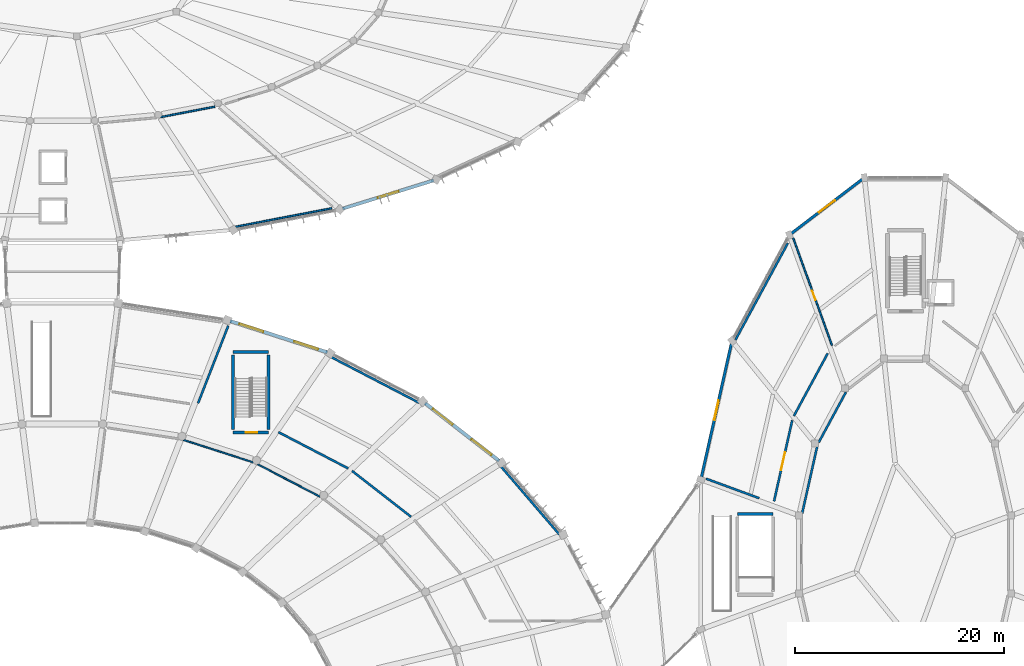
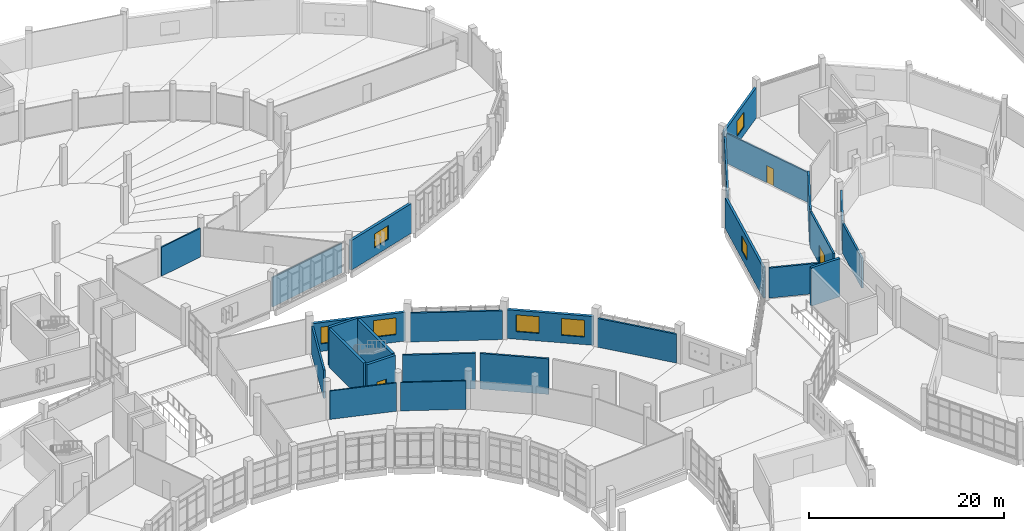
# One storey, part 126 of 179: 26 walls, 7 windows, 3 doors, 10 openings.
"""IFC4 building model written with IfcOpenShell, lengths in metres."""

from ifc_helpers import new_model, si_unit, direction, frame, frame_2d, origin, place, context, subcontext, project, spatial, rectangle, extrude, material, layer, layer_set, type_object, element, fill, save


model = new_model("IFC4")

# Units and contexts
model_context = context("Model", 3, precision=1e-05, world=origin(), true_north=direction((0.0, 1.0)))
body_context = subcontext(model_context, "Body", "Model", "MODEL_VIEW")
ifc_project = project(units=[si_unit("LENGTHUNIT", "METRE"), si_unit("AREAUNIT", "SQUARE_METRE"), si_unit("VOLUMEUNIT", "CUBIC_METRE"), si_unit("PLANEANGLEUNIT", "RADIAN"), si_unit("MASSUNIT", "GRAM", prefix="KILO")], contexts=[model_context])

# Site, building, storey
site_placement = place(None, origin())
site = spatial("IfcSite", under=ifc_project, at=site_placement, CompositionType="ELEMENT")
building_placement = place(site_placement, origin())
building = spatial("IfcBuilding", under=site, at=building_placement, Name="Corvandel Quay Wholesale Market", CompositionType="ELEMENT")
storey_placement = place(building_placement, frame((0.0, 0.0, 6.0)))
storey = spatial("IfcBuildingStorey", under=building, at=storey_placement, Name="L01", CompositionType="ELEMENT", Elevation=6.0)

# Walls
ifc_material_1 = material(Name="Gypsum-clad steel stud framing", Category="steel")
ifc_layer_1 = layer(ifc_material_1, 0.2099609375)
ifc_layer_set_1 = layer_set([ifc_layer_1], Name="Gypsum-clad steel stud framing")
wall_type_1 = type_object("IfcWallType", Name="Corridor Rated Partition PT02 210", PredefinedType="PARTITIONING", material=ifc_layer_set_1)
wall_1_placement = place(storey_placement, frame((147.311279296875, 63.591064453125, 0.0), z_axis=(0.0, 0.0, 1.0), x_axis=(-0.789269462689, 0.614046997604, 0.0)))
element("IfcWall", 1, at=wall_1_placement, inside=storey, type_object=wall_type_1, Name="Interior Wall IW-0443", PredefinedType="PARTITIONING", context=body_context, shape_type="SweptSolid", body=[
    extrude(rectangle(XDim=7.149169921875, YDim=0.2099609375, at=frame_2d((3.57470703125, 0.0))), origin(), (0.0, 0.0, 1.0), 4.4599609375),
])
wall_2_placement = place(storey_placement, frame((141.2998046875, 68.217529296875, 0.0), z_axis=(0.0, 0.0, 1.0), x_axis=(-0.8870987966, 0.461579597763, 0.0)))
element("IfcWall", 2, at=wall_2_placement, inside=storey, type_object=wall_type_1, Name="Interior Wall IW-0444", PredefinedType="PARTITIONING", context=body_context, shape_type="SweptSolid", body=[
    extrude(rectangle(XDim=7.521728515625, YDim=0.2099609375, at=frame_2d((3.7607421875, 0.0))), origin(), (0.0, 0.0, 1.0), 4.4599609375),
])
wall_3_placement = place(storey_placement, frame((126.951904296875, 74.43701171875, 0.0), z_axis=(0.0, 0.0, 1.0), x_axis=(0.363286022187, 0.931677662115, 0.0)))
element("IfcWall", 3, at=wall_3_placement, inside=storey, type_object=wall_type_1, Name="Interior Wall IW-0445", PredefinedType="PARTITIONING", context=body_context, shape_type="SweptSolid", body=[
    extrude(rectangle(XDim=7.939453125, YDim=0.2099609375, at=frame_2d((3.9697265625, 0.0))), origin(), (0.0, 0.0, 1.0), 3.56005859375),
])
wall_4_placement = place(storey_placement, frame((139.666259765625, 78.859619140625, 0.0), z_axis=(0.0, 0.0, 1.0), x_axis=(0.887294814005, -0.461202681084, 0.0)))
element("IfcWall", 4, at=wall_4_placement, inside=storey, type_object=wall_type_1, Name="Interior Wall IW-0446", PredefinedType="PARTITIONING", context=body_context, shape_type="SweptSolid", body=[
    extrude(rectangle(XDim=9.4775390625, YDim=0.2099609375, at=frame_2d((4.73876953125, 0.0))), origin(), (0.0, 0.0, 1.0), 3.610107421875),
])
wall_5_placement = place(storey_placement, frame((155.894287109375, 68.402099609375, 0.0), z_axis=(0.0, 0.0, 1.0), x_axis=(0.651588761732, -0.758572399699, 0.0)))
element("IfcWall", 5, at=wall_5_placement, inside=storey, type_object=wall_type_1, Name="Interior Wall IW-0447", PredefinedType="PARTITIONING", context=body_context, shape_type="SweptSolid", body=[
    extrude(rectangle(XDim=8.569091796875, YDim=0.2099609375, at=frame_2d((4.28466796875, 0.0))), origin(), (0.0, 0.0, 1.0), 3.610107421875),
])
wall_6_placement = place(storey_placement, frame((184.668212890625, 63.90966796875, 0.0), z_axis=(0.0, 0.0, 1.0), x_axis=(0.218983275202, 0.975728612464, 0.0)))
element("IfcWall", 6, at=wall_6_placement, inside=storey, type_object=wall_type_1, Name="Interior Wall IW-0719", PredefinedType="PARTITIONING", context=body_context, shape_type="SweptSolid", body=[
    extrude(rectangle(XDim=6.546630859375, YDim=0.2099609375, at=frame_2d((3.2734375, 0.0))), origin(), (0.0, 0.0, 1.0), 3.760009765625),
])
wall_7_placement = place(storey_placement, frame((186.2548828125, 70.70556640625, 0.0), z_axis=(0.0, 0.0, 1.0), x_axis=(0.476219723691, 0.879326318705, 0.0)))
element("IfcWall", 7, at=wall_7_placement, inside=storey, type_object=wall_type_1, Name="Interior Wall IW-0720", PredefinedType="PARTITIONING", context=body_context, shape_type="SweptSolid", body=[
    extrude(rectangle(XDim=5.456298828125, YDim=0.2099609375, at=frame_2d((2.72802734375, 0.0))), origin(), (0.0, 0.0, 1.0), 3.760009765625),
])
wall_8_placement = place(storey_placement, frame((178.30078125, 80.50048828125, 0.0), z_axis=(0.0, 0.0, 1.0), x_axis=(0.476238988817, 0.879315884953, 0.0)))
element("IfcWall", 8, at=wall_8_placement, inside=storey, type_object=wall_type_1, Name="Interior Wall IW-0735", PredefinedType="PARTITIONING", context=body_context, shape_type="SweptSolid", body=[
    extrude(rectangle(XDim=10.508056640625, YDim=0.2099609375, at=frame_2d((5.25390625, 0.0))), origin(), (0.0, 0.0, 1.0), 3.81005859375),
])
wall_9_placement = place(storey_placement, frame((187.1162109375, 79.21142578125, 0.0), z_axis=(0.0, 0.0, 1.0), x_axis=(-0.475826771509, -0.87953901762, 0.0)))
element("IfcWall", 9, at=wall_9_placement, inside=storey, type_object=wall_type_1, Name="Interior Wall IW-0736", PredefinedType="PARTITIONING", context=body_context, shape_type="SweptSolid", body=[
    extrude(rectangle(XDim=6.80810546875, YDim=0.2099609375, at=frame_2d((3.404052734375, 0.0))), origin(), (0.0, 0.0, 1.0), 4.5400390625),
])

# Wall, opening, door
wall_10_placement = place(storey_placement, frame((183.723876953125, 72.815185546875, 0.0), z_axis=(0.0, 0.0, 1.0), x_axis=(-0.219151477766, -0.975690847448, 0.0)))
wall_10 = element("IfcWall", 10, at=wall_10_placement, inside=storey, type_object=wall_type_1, Name="Interior Wall IW-0737", PredefinedType="PARTITIONING", context=body_context, shape_type="SweptSolid", body=[
    extrude(rectangle(XDim=7.924072265625, YDim=0.2099609375, at=frame_2d((3.9619140625, 0.0))), origin(), (0.0, 0.0, 1.0), 4.5400390625),
])
opening_1_placement = place(wall_10_placement, frame((3.112060546875, 0.0, 0.0)))
opening_1 = element("IfcOpeningElement", 11, at=opening_1_placement, cuts=wall_10, Name="Opening L01-D049", PredefinedType="OPENING", context=body_context, shape_type="SweptSolid", body=[
    extrude(rectangle(XDim=1.75, YDim=2.35009765625, at=frame_2d((0.875, 1.175048828125))), frame((0.0, 0.114990234375, 0.0), z_axis=(0.0, -1.0, 0.0), x_axis=(1.0, 0.0, 0.0)), (0.0, 0.0, 1.0), 0.22998046875),
])
ifc_material_2 = material(Name="Acoustic timber double leaf", Category="wood")
door_type_1 = type_object("IfcDoorType", Name="Auction Hall Acoustic Door ID18 1750x2350", OperationType="DOUBLE_DOOR_SINGLE_SWING", PredefinedType="DOOR", material=ifc_material_2)
door_1_placement = place(opening_1_placement, origin())
door_1 = element("IfcDoor", 12, at=door_1_placement, inside=storey, type_object=door_type_1, Name="Auction Buyers Bidding Gallery West Door", OperationType="DOUBLE_DOOR_SINGLE_SWING", OverallHeight=2.35009765625, OverallWidth=1.75, PredefinedType="DOOR", context=body_context, shape_type="SweptSolid", body=[
    extrude(rectangle(XDim=1.75, YDim=2.35009765625, at=frame_2d((0.875, 1.175048828125))), frame((0.0, 0.02490234375, 0.0), z_axis=(0.0, -1.0, 0.0), x_axis=(1.0, 0.0, 0.0)), (0.0, 0.0, 1.0), 0.050048828125),
])
fill(opening_1, door_1)

# Wall
wall_11_placement = place(storey_placement, frame((180.55859375, 65.375732421875, 0.0), z_axis=(0.0, 0.0, 1.0), x_axis=(-0.938708255845, 0.344712649042, 0.0)))
element("IfcWall", 13, at=wall_11_placement, inside=storey, type_object=wall_type_1, Name="Interior Wall IW-0738", PredefinedType="PARTITIONING", context=body_context, shape_type="SweptSolid", body=[
    extrude(rectangle(XDim=5.403076171875, YDim=0.2099609375, at=frame_2d((2.70166015625, 0.0))), origin(), (0.0, 0.0, 1.0), 3.760009765625),
])

# Wall, opening, window
ifc_material_3 = material(Name="Marine precast concrete C45/55", Category="concrete")
ifc_layer_2 = layer(ifc_material_3, 0.31005859375)
ifc_layer_set_2 = layer_set([ifc_layer_2], Name="Marine precast concrete C45/55")
wall_type_2 = type_object("IfcWallType", Name="Fish Hall Marine Precast Wall EW06 310", PredefinedType="SOLIDWALL", material=ifc_layer_set_2)
wall_12_placement = place(storey_placement, frame((140.755126953125, 93.030029296875, 0.0), z_axis=(0.0, 0.0, 1.0), x_axis=(0.955105922322, 0.296264539128, 0.0)))
wall_12 = element("IfcWall", 14, at=wall_12_placement, inside=storey, type_object=wall_type_2, Name="Exterior Wall EW-0144", PredefinedType="SOLIDWALL", context=body_context, shape_type="SweptSolid", body=[
    extrude(rectangle(XDim=9.123291015625, YDim=0.31005859375, at=frame_2d((4.5615234375, 0.0))), origin(), (0.0, 0.0, 1.0), 3.7099609375),
])
opening_2_placement = place(wall_12_placement, frame((3.511962890625, 0.0, 1.0)))
opening_2 = element("IfcOpeningElement", 15, at=opening_2_placement, cuts=wall_12, Name="Opening L01-W042", PredefinedType="OPENING", context=body_context, shape_type="SweptSolid", body=[
    extrude(rectangle(XDim=2.10009765625, YDim=1.75, at=frame_2d((1.050048828125, 0.875))), frame((0.0, 0.1650390625, 0.0), z_axis=(0.0, -1.0, 0.0), x_axis=(1.0, 0.0, 0.0)), (0.0, 0.0, 1.0), 0.330078125),
])
ifc_material_4 = material(Name="Thermally broken bronze anodised aluminium and solar-control low-E double glazing", Category="aluminium")
window_type_1 = type_object("IfcWindowType", Name="Seafood Traders Window WN09 2100x1750", PartitioningType="SINGLE_PANEL", PredefinedType="WINDOW", material=ifc_material_4)
window_1_placement = place(opening_2_placement, origin())
window_1 = element("IfcWindow", 16, at=window_1_placement, inside=storey, type_object=window_type_1, Name="Window L01-W042", OverallHeight=1.75, OverallWidth=2.10009765625, PartitioningType="SINGLE_PANEL", PredefinedType="WINDOW", context=body_context, shape_type="SweptSolid", body=[
    extrude(rectangle(XDim=2.10009765625, YDim=1.75, at=frame_2d((1.050048828125, 0.875))), frame((0.0, 0.030029296875, 0.0), z_axis=(0.0, -1.0, 0.0), x_axis=(1.0, 0.0, 0.0)), (0.0, 0.0, 1.0), 0.06005859375),
])
fill(opening_2, window_1)

# Walls
ifc_material_5 = material(Name="Double-layer acoustic gypsum stud partition")
ifc_layer_3 = layer(ifc_material_5, 0.139892578125)
ifc_layer_set_3 = layer_set([ifc_layer_3], Name="Double-layer acoustic gypsum stud partition")
wall_type_3 = type_object("IfcWallType", Name="Office Acoustic Partition PT07 140", PredefinedType="PARTITIONING", material=ifc_layer_set_3)
wall_13_placement = place(storey_placement, frame((125.564453125, 70.939453125, 0.0), z_axis=(0.0, 0.0, 1.0), x_axis=(0.951796024848, -0.306731685815, 0.0)))
element("IfcWall", 17, at=wall_13_placement, inside=storey, type_object=wall_type_3, Name="Interior Wall IW-0498", PredefinedType="PARTITIONING", context=body_context, shape_type="SweptSolid", body=[
    extrude(rectangle(XDim=6.99951171875, YDim=0.139892578125, at=frame_2d((3.499755859375, 0.0))), origin(), (0.0, 0.0, 1.0), 3.56005859375),
])
wall_14_placement = place(storey_placement, frame((132.631103515625, 68.62353515625, 0.0), z_axis=(0.0, 0.0, 1.0), x_axis=(0.887339573657, -0.461116559041, 0.0)))
element("IfcWall", 18, at=wall_14_placement, inside=storey, type_object=wall_type_3, Name="Interior Wall IW-0499", PredefinedType="PARTITIONING", context=body_context, shape_type="SweptSolid", body=[
    extrude(rectangle(XDim=6.73779296875, YDim=0.139892578125, at=frame_2d((3.368896484375, 0.0))), origin(), (0.0, 0.0, 1.0), 3.56005859375),
])

# Wall, opening, window
ifc_material_6 = material(Name="Terracotta precast concrete C45/55", Category="masonry")
ifc_layer_4 = layer(ifc_material_6, 0.260009765625)
ifc_layer_set_4 = layer_set([ifc_layer_4], Name="Terracotta precast concrete C45/55")
wall_type_4 = type_object("IfcWallType", Name="Pavilion Pilaster Infill Wall EW08 260", PredefinedType="SOLIDWALL", material=ifc_layer_set_4)
wall_15_placement = place(storey_placement, frame((190.4462890625, 95.866455078125, 0.0), z_axis=(0.0, 0.0, 1.0), x_axis=(-0.794325535109, -0.607492340918, 0.0)))
wall_15 = element("IfcWall", 19, at=wall_15_placement, inside=storey, type_object=wall_type_4, Name="Exterior Wall EW-0169", PredefinedType="SOLIDWALL", context=body_context, shape_type="SweptSolid", body=[
    extrude(rectangle(XDim=8.58251953125, YDim=0.260009765625, at=frame_2d((4.291259765625, 0.0))), origin(), (0.0, 0.0, 1.0), 3.81005859375),
])
opening_3_placement = place(wall_15_placement, frame((3.341064453125, 0.0, 1.0)))
opening_3 = element("IfcOpeningElement", 20, at=opening_3_placement, cuts=wall_15, Name="Opening L01-W047", PredefinedType="OPENING", context=body_context, shape_type="SweptSolid", body=[
    extrude(rectangle(XDim=1.89990234375, YDim=1.89990234375, at=frame_2d((0.949951171875, 0.949951171875))), frame((0.0, 0.139892578125, 0.0), z_axis=(0.0, -1.0, 0.0), x_axis=(1.0, 0.0, 0.0)), (0.0, 0.0, 1.0), 0.280029296875),
])
window_type_2 = type_object("IfcWindowType", Name="Auction Gallery Window WN12 1900x1900", PartitioningType="SINGLE_PANEL", PredefinedType="WINDOW", material=ifc_material_4)
window_2_placement = place(opening_3_placement, origin())
window_2 = element("IfcWindow", 21, at=window_2_placement, inside=storey, type_object=window_type_2, Name="Window L01-W047", OverallHeight=1.89990234375, OverallWidth=1.89990234375, PartitioningType="SINGLE_PANEL", PredefinedType="WINDOW", context=body_context, shape_type="SweptSolid", body=[
    extrude(rectangle(XDim=1.89990234375, YDim=1.89990234375, at=frame_2d((0.949951171875, 0.949951171875))), frame((0.0, 0.030029296875, 0.0), z_axis=(0.0, -1.0, 0.0), x_axis=(1.0, 0.0, 0.0)), (0.0, 0.0, 1.0), 0.06005859375),
])
fill(opening_3, window_2)

wall_16_placement = place(storey_placement, frame((177.9208984375, 80.17724609375, 0.0), z_axis=(0.0, 0.0, 1.0), x_axis=(-0.218965309906, -0.975732644251, 0.0)))
wall_16 = element("IfcWall", 22, at=wall_16_placement, inside=storey, type_object=wall_type_4, Name="Exterior Wall EW-0174", PredefinedType="SOLIDWALL", context=body_context, shape_type="SweptSolid", body=[
    extrude(rectangle(XDim=13.119873046875, YDim=0.260009765625, at=frame_2d((6.56005859375, 0.0))), origin(), (0.0, 0.0, 1.0), 3.81005859375),
])
opening_4_placement = place(wall_16_placement, frame((5.610107421875, 0.0, 1.0)))
opening_4 = element("IfcOpeningElement", 23, at=opening_4_placement, cuts=wall_16, Name="Opening L01-W048", PredefinedType="OPENING", context=body_context, shape_type="SweptSolid", body=[
    extrude(rectangle(XDim=1.89990234375, YDim=1.89990234375, at=frame_2d((0.949951171875, 0.949951171875))), frame((0.0, 0.139892578125, 0.0), z_axis=(0.0, -1.0, 0.0), x_axis=(1.0, 0.0, 0.0)), (0.0, 0.0, 1.0), 0.280029296875),
])
window_3_placement = place(opening_4_placement, origin())
window_3 = element("IfcWindow", 24, at=window_3_placement, inside=storey, type_object=window_type_2, Name="Window L01-W048", OverallHeight=1.89990234375, OverallWidth=1.89990234375, PartitioningType="SINGLE_PANEL", PredefinedType="WINDOW", context=body_context, shape_type="SweptSolid", body=[
    extrude(rectangle(XDim=1.89990234375, YDim=1.89990234375, at=frame_2d((0.949951171875, 0.949951171875))), frame((0.0, 0.030029296875, 0.0), z_axis=(0.0, -1.0, 0.0), x_axis=(1.0, 0.0, 0.0)), (0.0, 0.0, 1.0), 0.06005859375),
])
fill(opening_4, window_3)

# Wall, openings, windows
ifc_material_7 = material(Name="Buff-pigmented precast concrete C45/55", Category="concrete")
ifc_layer_5 = layer(ifc_material_7, 0.320068359375)
ifc_layer_set_5 = layer_set([ifc_layer_5], Name="Buff-pigmented precast concrete C45/55")
wall_type_5 = type_object("IfcWallType", Name="Sandstone Buff Precast Wall EW02 320", PredefinedType="SOLIDWALL", material=ifc_layer_set_5)
wall_17_placement = place(storey_placement, frame((155.73193359375, 68.938720703125, 0.0), z_axis=(0.0, 0.0, 1.0), x_axis=(-0.789327357341, 0.613972575082, 0.0)))
wall_17 = element("IfcWall", 25, at=wall_17_placement, inside=storey, type_object=wall_type_5, Name="Exterior Wall EW-0010", PredefinedType="SOLIDWALL", context=body_context, shape_type="SweptSolid", body=[
    extrude(rectangle(XDim=8.98974609375, YDim=0.320068359375, at=frame_2d((4.494873046875, 0.0))), origin(), (0.0, 0.0, 1.0), 3.610107421875),
])
opening_5_placement = place(wall_17_placement, frame((0.949951171875, 0.0, 0.949951171875)))
opening_5 = element("IfcOpeningElement", 26, at=opening_5_placement, cuts=wall_17, Name="Opening L01-W003", PredefinedType="OPENING", context=body_context, shape_type="SweptSolid", body=[
    extrude(rectangle(XDim=2.39990234375, YDim=2.10009765625, at=frame_2d((1.199951171875, 1.050048828125))), frame((0.0, 0.169921875, 0.0), z_axis=(0.0, -1.0, 0.0), x_axis=(1.0, 0.0, 0.0)), (0.0, 0.0, 1.0), 0.340087890625),
])
opening_6_placement = place(wall_17_placement, frame((5.639892578125, 0.0, 0.949951171875)))
opening_6 = element("IfcOpeningElement", 27, at=opening_6_placement, cuts=wall_17, Name="Opening L01-W004", PredefinedType="OPENING", context=body_context, shape_type="SweptSolid", body=[
    extrude(rectangle(XDim=2.39990234375, YDim=2.10009765625, at=frame_2d((1.199951171875, 1.050048828125))), frame((0.0, 0.169921875, 0.0), z_axis=(0.0, -1.0, 0.0), x_axis=(1.0, 0.0, 0.0)), (0.0, 0.0, 1.0), 0.340087890625),
])
window_type_3 = type_object("IfcWindowType", Name="Produce Gallery Punched Window WN02 2400x2100", PartitioningType="SINGLE_PANEL", PredefinedType="WINDOW", material=ifc_material_4)
window_4_placement = place(opening_5_placement, origin())
window_4 = element("IfcWindow", 28, at=window_4_placement, inside=storey, type_object=window_type_3, Name="Window L01-W003", OverallHeight=2.10009765625, OverallWidth=2.39990234375, PartitioningType="SINGLE_PANEL", PredefinedType="WINDOW", context=body_context, shape_type="SweptSolid", body=[
    extrude(rectangle(XDim=2.39990234375, YDim=2.10009765625, at=frame_2d((1.199951171875, 1.050048828125))), frame((0.0, 0.030029296875, 0.0), z_axis=(0.0, -1.0, 0.0), x_axis=(1.0, 0.0, 0.0)), (0.0, 0.0, 1.0), 0.06005859375),
])
fill(opening_5, window_4)
window_5_placement = place(opening_6_placement, origin())
window_5 = element("IfcWindow", 29, at=window_5_placement, inside=storey, type_object=window_type_3, Name="Window L01-W004", OverallHeight=2.10009765625, OverallWidth=2.39990234375, PartitioningType="SINGLE_PANEL", PredefinedType="WINDOW", context=body_context, shape_type="SweptSolid", body=[
    extrude(rectangle(XDim=2.39990234375, YDim=2.10009765625, at=frame_2d((1.199951171875, 1.050048828125))), frame((0.0, 0.030029296875, 0.0), z_axis=(0.0, -1.0, 0.0), x_axis=(1.0, 0.0, 0.0)), (0.0, 0.0, 1.0), 0.06005859375),
])
fill(opening_6, window_5)

wall_18_placement = place(storey_placement, frame((139.322021484375, 79.302734375, 0.0), z_axis=(0.0, 0.0, 1.0), x_axis=(-0.95182847269, 0.30663098111, 0.0)))
wall_18 = element("IfcWall", 30, at=wall_18_placement, inside=storey, type_object=wall_type_5, Name="Exterior Wall EW-0015", PredefinedType="SOLIDWALL", context=body_context, shape_type="SweptSolid", body=[
    extrude(rectangle(XDim=9.785400390625, YDim=0.320068359375, at=frame_2d((4.892578125, 0.0))), origin(), (0.0, 0.0, 1.0), 3.610107421875),
])
opening_7_placement = place(wall_18_placement, frame((0.949951171875, 0.0, 0.949951171875)))
opening_7 = element("IfcOpeningElement", 31, at=opening_7_placement, cuts=wall_18, Name="Opening L01-W005", PredefinedType="OPENING", context=body_context, shape_type="SweptSolid", body=[
    extrude(rectangle(XDim=2.39990234375, YDim=2.10009765625, at=frame_2d((1.199951171875, 1.050048828125))), frame((0.0, 0.169921875, 0.0), z_axis=(0.0, -1.0, 0.0), x_axis=(1.0, 0.0, 0.0)), (0.0, 0.0, 1.0), 0.340087890625),
])
opening_8_placement = place(wall_18_placement, frame((6.43505859375, 0.0, 0.949951171875)))
opening_8 = element("IfcOpeningElement", 32, at=opening_8_placement, cuts=wall_18, Name="Opening L01-W006", PredefinedType="OPENING", context=body_context, shape_type="SweptSolid", body=[
    extrude(rectangle(XDim=2.39990234375, YDim=2.10009765625, at=frame_2d((1.199951171875, 1.050048828125))), frame((0.0, 0.169921875, 0.0), z_axis=(0.0, -1.0, 0.0), x_axis=(1.0, 0.0, 0.0)), (0.0, 0.0, 1.0), 0.340087890625),
])
window_6_placement = place(opening_7_placement, origin())
window_6 = element("IfcWindow", 33, at=window_6_placement, inside=storey, type_object=window_type_3, Name="Window L01-W005", OverallHeight=2.10009765625, OverallWidth=2.39990234375, PartitioningType="SINGLE_PANEL", PredefinedType="WINDOW", context=body_context, shape_type="SweptSolid", body=[
    extrude(rectangle(XDim=2.39990234375, YDim=2.10009765625, at=frame_2d((1.199951171875, 1.050048828125))), frame((0.0, 0.030029296875, 0.0), z_axis=(0.0, -1.0, 0.0), x_axis=(1.0, 0.0, 0.0)), (0.0, 0.0, 1.0), 0.06005859375),
])
fill(opening_7, window_6)
window_7_placement = place(opening_8_placement, origin())
window_7 = element("IfcWindow", 34, at=window_7_placement, inside=storey, type_object=window_type_3, Name="Window L01-W006", OverallHeight=2.10009765625, OverallWidth=2.39990234375, PartitioningType="SINGLE_PANEL", PredefinedType="WINDOW", context=body_context, shape_type="SweptSolid", body=[
    extrude(rectangle(XDim=2.39990234375, YDim=2.10009765625, at=frame_2d((1.199951171875, 1.050048828125))), frame((0.0, 0.030029296875, 0.0), z_axis=(0.0, -1.0, 0.0), x_axis=(1.0, 0.0, 0.0)), (0.0, 0.0, 1.0), 0.06005859375),
])
fill(opening_8, window_7)

# Walls
ifc_material_8 = material(Name="Moisture-resistant tile-backer partition")
ifc_layer_6 = layer(ifc_material_8, 0.159912109375)
ifc_layer_set_6 = layer_set([ifc_layer_6], Name="Moisture-resistant tile-backer partition")
wall_type_6 = type_object("IfcWallType", Name="Sanitary Tile Partition PT06 160", PredefinedType="PARTITIONING", material=ifc_layer_set_6)
wall_19_placement = place(storey_placement, frame((123.389892578125, 101.782470703125, 0.0), z_axis=(0.0, 0.0, 1.0), x_axis=(0.982037171606, 0.188687555456, 0.0)))
element("IfcWall", 35, at=wall_19_placement, inside=storey, type_object=wall_type_6, Name="Interior Wall IW-0651", PredefinedType="PARTITIONING", context=body_context, shape_type="SweptSolid", body=[
    extrude(rectangle(XDim=5.268798828125, YDim=0.159912109375, at=frame_2d((2.63427734375, 0.0))), origin(), (0.0, 0.0, 1.0), 3.610107421875),
])
wall_20_placement = place(storey_placement, frame((139.736083984375, 93.071533203125, 0.0), z_axis=(0.0, 0.0, 1.0), x_axis=(-0.982017200281, -0.1887914679, 0.0)))
element("IfcWall", 36, at=wall_20_placement, inside=storey, type_object=wall_type_6, Name="Interior Wall IW-0653", PredefinedType="PARTITIONING", context=body_context, shape_type="SweptSolid", body=[
    extrude(rectangle(XDim=9.39111328125, YDim=0.159912109375, at=frame_2d((4.695556640625, 0.0))), origin(), (0.0, 0.0, 1.0), 3.7099609375),
])

# Wall, opening, door
wall_21_placement = place(storey_placement, frame((187.523193359375, 79.98193359375, 0.0), z_axis=(0.0, 0.0, 1.0), x_axis=(-0.34031608126, 0.940311100028, 0.0)))
wall_21 = element("IfcWall", 37, at=wall_21_placement, inside=storey, type_object=wall_type_6, Name="Interior Wall IW-0734", PredefinedType="PARTITIONING", context=body_context, shape_type="SweptSolid", body=[
    extrude(rectangle(XDim=10.896484375, YDim=0.159912109375, at=frame_2d((5.4482421875, 0.0))), origin(), (0.0, 0.0, 1.0), 3.760009765625),
])
opening_9_placement = place(wall_21_placement, frame((4.597900390625, 0.0, 0.0)))
opening_9 = element("IfcOpeningElement", 38, at=opening_9_placement, cuts=wall_21, Name="Opening L01-D048", PredefinedType="OPENING", context=body_context, shape_type="SweptSolid", body=[
    extrude(rectangle(XDim=0.949951171875, YDim=2.14990234375, at=frame_2d((0.47509765625, 1.074951171875))), frame((0.0, 0.08984375, 0.0), z_axis=(0.0, -1.0, 0.0), x_axis=(1.0, 0.0, 0.0)), (0.0, 0.0, 1.0), 0.179931640625),
])
ifc_material_9 = material(Name="Moisture-resistant HPL solid core")
door_type_2 = type_object("IfcDoorType", Name="Accessible Restroom Door ID14 950x2150R", OperationType="SINGLE_SWING_RIGHT", PredefinedType="DOOR", material=ifc_material_9)
door_2_placement = place(opening_9_placement, origin())
door_2 = element("IfcDoor", 39, at=door_2_placement, inside=storey, type_object=door_type_2, Name="Public Accessible Toilet and Staff WC V3 Door", OperationType="SINGLE_SWING_RIGHT", OverallHeight=2.14990234375, OverallWidth=0.949951171875, PredefinedType="DOOR", context=body_context, shape_type="SweptSolid", body=[
    extrude(rectangle(XDim=0.949951171875, YDim=2.14990234375, at=frame_2d((0.47509765625, 1.074951171875))), frame((0.0, 0.02490234375, 0.0), z_axis=(0.0, -1.0, 0.0), x_axis=(1.0, 0.0, 0.0)), (0.0, 0.0, 1.0), 0.050048828125),
])
fill(opening_9, door_2)

ifc_material_10 = material(Name="Concrete C40/50", Category="concrete")
ifc_layer_7 = layer(ifc_material_10, 0.300048828125)
ifc_layer_set_7 = layer_set([ifc_layer_7], Name="Concrete C40/50")
wall_type_7 = type_object("IfcWallType", Name="Stair Shaft Shear Wall SW02 300", PredefinedType="SHEAR", material=ifc_layer_set_7)
wall_22_placement = place(storey_placement, frame((130.300048828125, 71.64990234375, 0.0), z_axis=(0.0, 0.0, 1.0), x_axis=(1.0, 0.0, 0.0)))
wall_22 = element("IfcWall", 40, at=wall_22_placement, inside=storey, type_object=wall_type_7, Name="Shear Wall IW-0017", PredefinedType="SHEAR", context=body_context, shape_type="SweptSolid", body=[
    extrude(rectangle(XDim=3.39990234375, YDim=0.300048828125, at=frame_2d((1.699951171875, 0.0))), origin(), (0.0, 0.0, 1.0), 4.800048828125),
])
opening_10_placement = place(wall_22_placement, frame((1.199951171875, 0.0, 0.0)))
opening_10 = element("IfcOpeningElement", 41, at=opening_10_placement, cuts=wall_22, Name="Opening L01-D003", PredefinedType="OPENING", context=body_context, shape_type="SweptSolid", body=[
    extrude(rectangle(XDim=1.10009765625, YDim=2.199951171875, at=frame_2d((0.550048828125, 1.10009765625))), frame((0.0, 0.159912109375, 0.0), z_axis=(0.0, -1.0, 0.0), x_axis=(1.0, 0.0, 0.0)), (0.0, 0.0, 1.0), 0.320068359375),
])
ifc_material_11 = material(Name="Galvanised fire-rated hollow steel", Category="steel")
door_type_3 = type_object("IfcDoorType", Name="Exit Stair Fire Door ID01 1100x2200L", OperationType="SINGLE_SWING_LEFT", PredefinedType="DOOR", material=ifc_material_11)
door_3_placement = place(opening_10_placement, origin())
door_3 = element("IfcDoor", 42, at=door_3_placement, inside=storey, type_object=door_type_3, Name="Exit Stair Door SH02-L01", OperationType="SINGLE_SWING_LEFT", OverallHeight=2.199951171875, OverallWidth=1.10009765625, PredefinedType="DOOR", context=body_context, shape_type="SweptSolid", body=[
    extrude(rectangle(XDim=1.10009765625, YDim=2.199951171875, at=frame_2d((0.550048828125, 1.10009765625))), frame((0.0, 0.02490234375, 0.0), z_axis=(0.0, -1.0, 0.0), x_axis=(1.0, 0.0, 0.0)), (0.0, 0.0, 1.0), 0.050048828125),
])
fill(opening_10, door_3)

# Walls
wall_23_placement = place(storey_placement, frame((130.300048828125, 79.35009765625, 0.0), z_axis=(0.0, 0.0, 1.0), x_axis=(1.0, 0.0, 0.0)))
element("IfcWall", 43, at=wall_23_placement, inside=storey, type_object=wall_type_7, Name="Shear Wall IW-0018", PredefinedType="SHEAR", context=body_context, shape_type="SweptSolid", body=[
    extrude(rectangle(XDim=3.39990234375, YDim=0.300048828125, at=frame_2d((1.699951171875, 0.0))), origin(), (0.0, 0.0, 1.0), 4.800048828125),
])
for number, where, z_axis, x_axis, name in (
    (44, (130.300048828125, 71.93994140625, 0.0), (0.0, 0.0, 1.0), (0.0, 1.0, 0.0), "Shear Wall IW-0019"),
    (45, (133.699951171875, 71.93994140625, 0.0), (0.0, 0.0, 1.0), (0.0, 1.0, 0.0), "Shear Wall IW-0020"),
):
    element("IfcWall", number, at=place(storey_placement, frame(where, z_axis=z_axis, x_axis=x_axis)), inside=storey, type_object=wall_type_7, Name=name, PredefinedType="SHEAR", context=body_context, shape_type="SweptSolid", body=[
        extrude(rectangle(XDim=7.1201171875, YDim=0.300048828125, at=frame_2d((3.56005859375, 0.0))), origin(), (0.0, 0.0, 1.0), 4.800048828125),
    ])
wall_24_placement = place(storey_placement, frame((178.5, 63.85009765625, 0.0), z_axis=(0.0, 0.0, 1.0), x_axis=(1.0, 0.0, 0.0)))
element("IfcWall", 46, at=wall_24_placement, inside=storey, type_object=wall_type_7, Name="Shear Wall IW-0106", PredefinedType="SHEAR", context=body_context, shape_type="SweptSolid", body=[
    extrude(rectangle(XDim=3.39990234375, YDim=0.300048828125, at=frame_2d((1.699951171875, 0.0))), origin(), (0.0, 0.0, 1.0), 4.800048828125),
])

save(model, "model.ifc")
